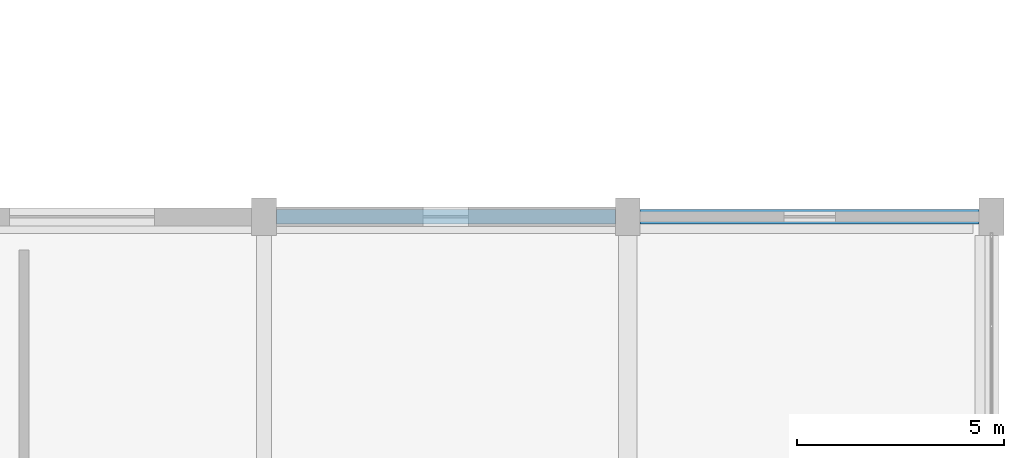
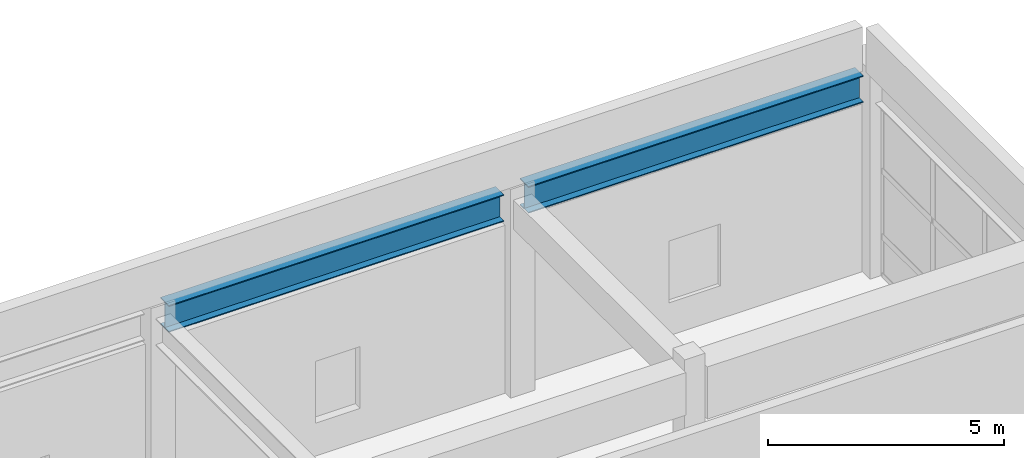
# One storey, part 21 of 41: 2 beams.
"""IFC4 building model written with IfcOpenShell, lengths in metres."""

import ifcopenshell
import ifcopenshell.guid

model = None  # the IFC model being written
_history = None  # IfcOwnerHistory: only IFC2X3 demands one
_inside = {}  # id of a spatial element -> (the spatial element, [elements in it])
_under = {}  # id of a project, library or spatial element -> (it, [spatial elements below it])
_declared = {}  # id of a project -> (the project, [libraries it declares])
_typed = {}  # id of a type object -> (the type object, [elements of that type])
_made_of = {}  # id of a material, layer set ... -> (it, [elements and type objects made of it])


def new_model(schema):
    """Start an empty IFC model of exactly this schema.

    Asked for "IFC4X3", IfcOpenShell would pick the latest addendum, in which some entities
    have other attributes; the version numbers below select the first issue.
    IFC2X3 requires an IfcOwnerHistory on every rooted entity: one is made here for all.
    """
    global model, _history
    if schema == "IFC4X3":
        model = ifcopenshell.file(schema_version=(4, 3, 0, 0))
    else:
        model = ifcopenshell.file(schema=schema)
    _inside.clear()
    _under.clear()
    _declared.clear()
    _typed.clear()
    _made_of.clear()
    _history = None
    if model.schema == "IFC2X3":
        org = make("IfcOrganization", Name="unknown")
        user = make(
            "IfcPersonAndOrganization",
            ThePerson=make("IfcPerson", FamilyName="unknown"),
            TheOrganization=org,
        )
        app = make(
            "IfcApplication",
            ApplicationDeveloper=org,
            Version="unknown",
            ApplicationFullName="unknown",
            ApplicationIdentifier="unknown",
        )
        _history = make(
            "IfcOwnerHistory",
            OwningUser=user,
            OwningApplication=app,
            ChangeAction="ADDED",
            CreationDate=0,
        )
    return model


def make(cls, **values):
    """One entity of the class cls with the attributes given. An attribute that is None is left unset."""
    return model.create_entity(
        cls, **{name: value for name, value in values.items() if value is not None}
    )


def rooted(cls, **values):
    """An entity with a GlobalId (a new one), such as an element, a storey or a relation."""
    return make(cls, GlobalId=ifcopenshell.guid.new(), OwnerHistory=_history, **values)


def si_unit(unit_type, name, prefix=None):
    """IfcSIUnit, for example si_unit("LENGTHUNIT", "METRE", prefix="MILLI")."""
    return make("IfcSIUnit", UnitType=unit_type, Prefix=prefix, Name=name)


def assignment(units):
    """IfcUnitAssignment: the units of a project."""
    return None if units is None else make("IfcUnitAssignment", Units=units)


def point(xyz):
    """IfcCartesianPoint."""
    return None if xyz is None else make("IfcCartesianPoint", Coordinates=xyz)


def direction(xyz):
    """IfcDirection."""
    return None if xyz is None else make("IfcDirection", DirectionRatios=xyz)


def frame(location, z_axis=None, x_axis=None):
    """IfcAxis2Placement3D, a coordinate frame: its origin and axes. An axis left out is left unset."""
    return make(
        "IfcAxis2Placement3D",
        Location=point(location),
        Axis=direction(z_axis),
        RefDirection=direction(x_axis),
    )


def frame_2d(location, x_axis=None):
    """IfcAxis2Placement2D, a coordinate frame in the plane: its origin and x axis."""
    return make(
        "IfcAxis2Placement2D", Location=point(location), RefDirection=direction(x_axis)
    )


def origin():
    """The frame at (0, 0, 0) with its axes left unset."""
    return frame((0.0, 0.0, 0.0))


def origin_2d():
    """The frame at (0, 0) in the plane with its x axis left unset."""
    return frame_2d((0.0, 0.0))


def place(relative_to, where):
    """IfcLocalPlacement: puts the frame where relative to a parent placement (None: the world)."""
    return make(
        "IfcLocalPlacement", PlacementRelTo=relative_to, RelativePlacement=where
    )


def context(
    kind, dimensions, precision=None, world=None, true_north=None, identifier=None
):
    """IfcGeometricRepresentationContext, for example the 3D "Model" context."""
    return make(
        "IfcGeometricRepresentationContext",
        ContextIdentifier=identifier,
        ContextType=kind,
        CoordinateSpaceDimension=dimensions,
        Precision=precision,
        WorldCoordinateSystem=world,
        TrueNorth=true_north,
    )


def subcontext(parent, identifier, kind, view, scale=None):
    """IfcGeometricRepresentationSubContext, for example "Body" below "Model"."""
    return make(
        "IfcGeometricRepresentationSubContext",
        ContextIdentifier=identifier,
        ContextType=kind,
        ParentContext=parent,
        TargetScale=scale,
        TargetView=view,
    )


def project(units=None, contexts=None):
    """IfcProject with its units and contexts."""
    return rooted(
        "IfcProject",
        Name="project",
        RepresentationContexts=contexts,
        UnitsInContext=assignment(units),
    )


def spatial(cls, under=None, at=None, **own):
    """A site, building, storey or space (cls), placed at a placement, below another one or the project."""
    s = rooted(cls, ObjectPlacement=at, **own)
    if under is not None:
        _under.setdefault(under.id(), (under, []))[1].append(s)
    return s


def profile(cls, at=None, kind="AREA", **sizes):
    """A parametric profile (cls). Its sizes go by their IFC names, for example OverallWidth=200.0."""
    return make(cls, ProfileType=kind, Position=at, **sizes)


def i_section(**sizes):
    """IfcIShapeProfileDef."""
    return profile("IfcIShapeProfileDef", **sizes)


def extrude(swept, where, along, depth):
    """IfcExtrudedAreaSolid: the profile swept, set in the frame where, extruded along a direction by depth."""
    return make(
        "IfcExtrudedAreaSolid",
        SweptArea=swept,
        Position=where,
        ExtrudedDirection=direction(along),
        Depth=depth,
    )


def shape(context_of_items, identifier, shape_type, items):
    """IfcShapeRepresentation: the items that make up one representation, for example the "Body"."""
    return make(
        "IfcShapeRepresentation",
        ContextOfItems=context_of_items,
        RepresentationIdentifier=identifier,
        RepresentationType=shape_type,
        Items=items,
    )


def material(Name=None, Category=None):
    """IfcMaterial."""
    return make("IfcMaterial", Name=Name, Category=Category)


def material_profile(
    of_material, cross_section, Name=None, Category=None, Priority=None
):
    """IfcMaterialProfile: a cross section and its material."""
    return make(
        "IfcMaterialProfile",
        Name=Name,
        Material=of_material,
        Profile=cross_section,
        Priority=Priority,
        Category=Category,
    )


def profile_set(profiles, Name=None, composite=None):
    """IfcMaterialProfileSet."""
    return make(
        "IfcMaterialProfileSet",
        Name=Name,
        MaterialProfiles=profiles,
        CompositeProfile=composite,
    )


def made_of(thing, what):
    """Note that an element or type object is made of a material, layer set ...; save() writes the relation."""
    if what is not None:
        _made_of.setdefault(what.id(), (what, []))[1].append(thing)
    return thing


def type_object(cls, material=None, **own):
    """A type object (cls), such as IfcWallType, which elements share."""
    return made_of(rooted(cls, **own), material)


def element(
    cls,
    number,
    at=None,
    inside=None,
    cuts=None,
    type_object=None,
    material=None,
    context=None,
    identifier="Body",
    shape_type=None,
    held_by="IfcProductDefinitionShape",
    body=None,
    shapes=None,
    **own,
):
    """One element of the class cls, such as IfcWall. Its Tag is "e" and its number.

    at: its placement. inside: the storey or other place that contains it. cuts: it is an
    opening in that element (IfcRelVoidsElement). A single representation is given by context,
    identifier, shape_type and body (its items); several are given by shapes. held_by: the class
    of the entity that holds the representations. save() writes the other relations.
    """
    e = rooted(cls, Tag="e%d" % number, ObjectPlacement=at, **own)
    if body is not None:
        shapes = [shape(context, identifier, shape_type, body)]
    if shapes is not None:
        e.Representation = make(held_by, Representations=shapes)
    if inside is not None:
        _inside.setdefault(inside.id(), (inside, []))[1].append(e)
    if cuts is not None:
        rooted(
            "IfcRelVoidsElement", RelatingBuildingElement=cuts, RelatedOpeningElement=e
        )
    if type_object is not None:
        _typed.setdefault(type_object.id(), (type_object, []))[1].append(e)
    return made_of(e, material)


def aggregate(whole, parts):
    """IfcRelAggregates: a whole, such as a stair, and the parts it consists of."""
    return rooted("IfcRelAggregates", RelatingObject=whole, RelatedObjects=parts)


def save(model, path):
    """Write the relations noted so far, then the file.

    IfcRelAggregates (storeys below a building ...), IfcRelContainedInSpatialStructure (elements
    in a storey), IfcRelDefinesByType, IfcRelAssociatesMaterial and IfcRelDeclares: one each for
    every whole, place, type object, material and project.
    """
    for whole, parts in _under.values():
        aggregate(whole, parts)
    for where, things in _inside.values():
        rooted(
            "IfcRelContainedInSpatialStructure",
            RelatedElements=things,
            RelatingStructure=where,
        )
    for kind, things in _typed.values():
        rooted("IfcRelDefinesByType", RelatedObjects=things, RelatingType=kind)
    for what, things in _made_of.values():
        rooted("IfcRelAssociatesMaterial", RelatedObjects=things, RelatingMaterial=what)
    for by, libraries in _declared.values():
        rooted("IfcRelDeclares", RelatingContext=by, RelatedDefinitions=libraries)
    model.write(path)


model = new_model("IFC4")

# Units and contexts
model_context = context("Model", 3, precision=1e-05, world=origin(), true_north=direction((0.0, 1.0)))
body_context = subcontext(model_context, "Body", "Model", "MODEL_VIEW")
ifc_project = project(units=[si_unit("LENGTHUNIT", "METRE"), si_unit("AREAUNIT", "SQUARE_METRE"), si_unit("VOLUMEUNIT", "CUBIC_METRE"), si_unit("PLANEANGLEUNIT", "RADIAN"), si_unit("MASSUNIT", "GRAM", prefix="KILO")], contexts=[model_context])

# Site, building, storey
site_placement = place(None, origin())
site = spatial("IfcSite", under=ifc_project, at=site_placement, CompositionType="ELEMENT")
building_placement = place(site_placement, origin())
building = spatial("IfcBuilding", under=site, at=building_placement, Name="Vaelkrest Opera House", CompositionType="ELEMENT")
storey_placement = place(building_placement, frame((0.0, 0.0, 24.60009765625)))
storey = spatial("IfcBuildingStorey", under=building, at=storey_placement, Name="L05", CompositionType="ELEMENT", Elevation=24.60009765625)

# Beams
ifc_material = material(Name="Steel A992 Gr50", Category="steel")
ifc_material_profile = material_profile(ifc_material, i_section(OverallWidth=0.35498046875, OverallDepth=0.695068359375, WebThickness=0.015380859375, FlangeThickness=0.02490234375, at=origin_2d()), Name="W27X146")
ifc_profile_set = profile_set([ifc_material_profile], Name="Steel A992 Gr50")
beam_type = type_object("IfcBeamType", Name="SP02", PredefinedType="SPANDREL", material=ifc_profile_set)
for number, where, z_axis, x_axis, name in (
    (1, (51.5, 25.199951171875, 4.75732421875), (1.0, 0.0, 0.0), (0.0, 1.0, 0.0), "Beam BM-V4-L05-2442"),
    (2, (60.300048828125, 25.199951171875, 4.75732421875), (1.0, 0.0, 0.0), (0.0, 1.0, 0.0), "Beam BM-V4-L05-2443"),
):
    element("IfcBeam", number, at=place(storey_placement, frame(where, z_axis=z_axis, x_axis=x_axis)), inside=storey, type_object=beam_type, Name=name, PredefinedType="SPANDREL", context=body_context, shape_type="SweptSolid", body=[
        extrude(i_section(OverallWidth=0.35498046875, OverallDepth=0.695068359375, WebThickness=0.015380859375, FlangeThickness=0.02490234375, at=origin_2d()), origin(), (0.0, 0.0, 1.0), 8.199951171875),
    ])

save(model, "model.ifc")
